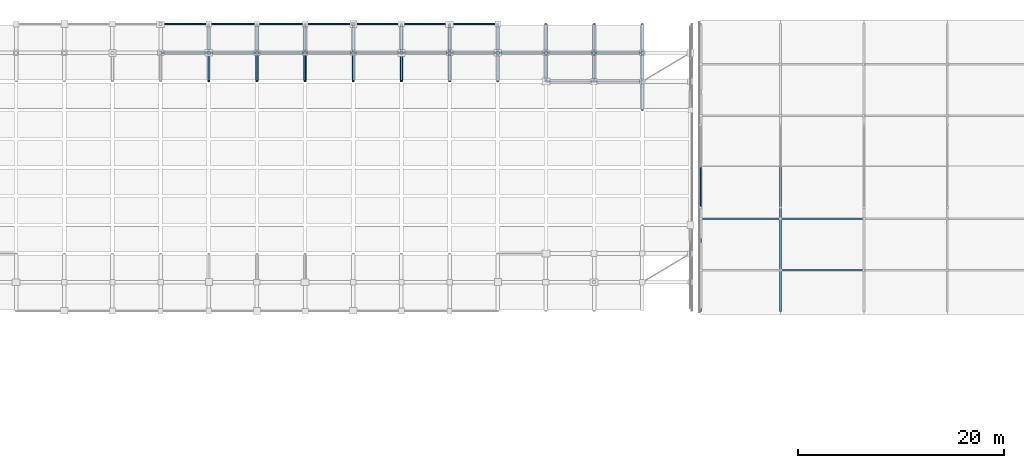
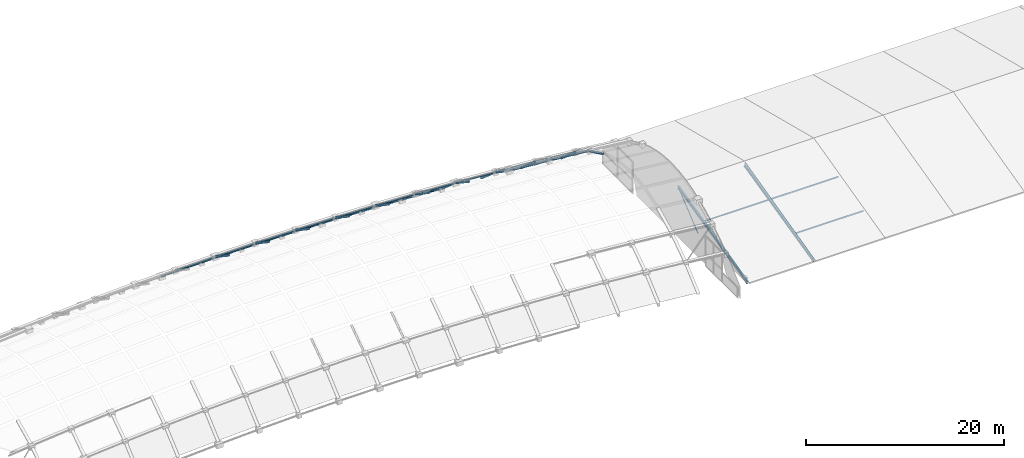
# One storey, part 30 of 65: 25 members, 21 beams.
"""IFC4 building model written with IfcOpenShell, lengths in metres."""

from ifc_helpers import new_model, si_unit, direction, frame, origin, origin_2d, place, context, subcontext, project, spatial, hollow_rectangle, hollow_circle, i_section, extrude, material, material_profile, profile_set, type_object, element, save


model = new_model("IFC4")

# Units and contexts
model_context = context("Model", 3, precision=1e-05, world=origin(), true_north=direction((0.0, 1.0)))
body_context = subcontext(model_context, "Body", "Model", "MODEL_VIEW")
ifc_project = project(units=[si_unit("LENGTHUNIT", "METRE"), si_unit("AREAUNIT", "SQUARE_METRE"), si_unit("VOLUMEUNIT", "CUBIC_METRE"), si_unit("PLANEANGLEUNIT", "RADIAN"), si_unit("MASSUNIT", "GRAM", prefix="KILO")], contexts=[model_context])

# Site, building, storey
site_placement = place(None, origin())
site = spatial("IfcSite", under=ifc_project, at=site_placement, CompositionType="ELEMENT")
building_placement = place(site_placement, origin())
building = spatial("IfcBuilding", under=site, at=building_placement, Name="Quillay Park Conservatory", CompositionType="ELEMENT")
storey_placement = place(building_placement, frame((0.0, 0.0, 14.10009765625)))
storey = spatial("IfcBuildingStorey", under=building, at=storey_placement, Name="L03", CompositionType="ELEMENT", Elevation=14.10009765625)

# Members
ifc_material_1 = material(Name="Steel S355J2H", Category="steel")
ifc_material_profile_1 = material_profile(ifc_material_1, hollow_circle(Radius=0.05712890625, WallThickness=0.00634765625, at=origin_2d()), Name="CHS114.3x6.3")
ifc_profile_set_1 = profile_set([ifc_material_profile_1], Name="Steel S355J2H")
member_type_1 = type_object("IfcMemberType", Name="CANOPY TIE STRUT CHS114", PredefinedType="STRUT", material=ifc_profile_set_1)
member_1_placement = place(storey_placement, frame((115.85009765625, 95.60009765625, -1.5), z_axis=(0.0, 0.766661786486, 0.642051170189), x_axis=(-1.0, 0.0, 0.0)))
element("IfcMember", 1, at=member_1_placement, inside=storey, type_object=member_type_1, Name="Gridshell member AUD-STR-D1", PredefinedType="STRUT", context=body_context, shape_type="SweptSolid", body=[
    extrude(hollow_circle(Radius=0.05712890625, WallThickness=0.00634765625, at=origin_2d()), origin(), (0.0, 0.0, 1.0), 5.217529296875),
])
ifc_material_2 = material(Name="Steel ASTM A992 Grade 50", Category="steel")
ifc_material_profile_2 = material_profile(ifc_material_2, i_section(OverallWidth=0.172119140625, OverallDepth=0.35791015625, WebThickness=0.0078125, FlangeThickness=0.01318359375, FilletRadius=0.010986328125, at=origin_2d()), Name="W360x57")
ifc_profile_set_2 = profile_set([ifc_material_profile_2], Name="Steel ASTM A992 Grade 50")
member_type_2 = type_object("IfcMemberType", Name="FOLDED ROOF RAFTER W360", PredefinedType="RAFTER", material=ifc_profile_set_2)
for number, where, z_axis, x_axis, name in (
    (2, (115.85009765625, 85.550048828125, -1.5), (0.0, 0.972734349518, 0.231922153465), (-1.0, 0.0, 0.0), "Gridshell member AUD-RAF-S1"),
    (3, (123.60009765625, 85.550048828125, -1.5), (0.0, 0.972734349518, 0.231922153465), (-1.0, 0.0, 0.0), "Gridshell member AUD-RAF-S2"),
):
    element("IfcMember", number, at=place(storey_placement, frame(where, z_axis=z_axis, x_axis=x_axis)), inside=storey, type_object=member_type_2, Name=name, PredefinedType="RAFTER", context=body_context, shape_type="SweptSolid", body=[
        extrude(i_section(OverallWidth=0.172119140625, OverallDepth=0.35791015625, WebThickness=0.0078125, FlangeThickness=0.01318359375, FilletRadius=0.010986328125, at=origin_2d()), origin(), (0.0, 0.0, 1.0), 14.44384765625),
    ])

# Beams
ifc_material_3 = material(Name="Steel S355J2H", Category="steel")
ifc_material_profile_3 = material_profile(ifc_material_3, hollow_circle(Radius=0.136474609375, WallThickness=0.012451171875, at=origin_2d()), Name="CHS273x12.5")
ifc_profile_set_3 = profile_set([ifc_material_profile_3], Name="Steel S355J2H")
beam_type = type_object("IfcBeamType", Name="GRIDSHELL ARCH BEAM CHS273", PredefinedType="USERDEFINED", material=ifc_profile_set_3)
beam_1_placement = place(storey_placement, frame((68.072265625, 107.830078125, 5.097900390625), z_axis=(0.0, 0.831668729476, -0.555272117445), x_axis=(-1.0, 0.0, 0.0)))
element("IfcBeam", 4, at=beam_1_placement, inside=storey, type_object=beam_type, Name="Gridshell member GS-ARCH-08-08", ObjectType="GRIDSHELL ARCH BEAM", PredefinedType="USERDEFINED", context=body_context, shape_type="SweptSolid", body=[
    extrude(hollow_circle(Radius=0.136474609375, WallThickness=0.012451171875, at=origin_2d()), origin(), (0.0, 0.0, 1.0), 3.3486328125),
])
beam_2_placement = place(storey_placement, frame((68.072265625, 110.614990234375, 3.238525390625), z_axis=(0.0, 0.757200503095, -0.653182515162), x_axis=(-1.0, 0.0, 0.0)))
element("IfcBeam", 5, at=beam_2_placement, inside=storey, type_object=beam_type, Name="Gridshell member GS-ARCH-08-09", ObjectType="GRIDSHELL ARCH BEAM", PredefinedType="USERDEFINED", context=body_context, shape_type="SweptSolid", body=[
    extrude(hollow_circle(Radius=0.136474609375, WallThickness=0.012451171875, at=origin_2d()), origin(), (0.0, 0.0, 1.0), 3.677978515625),
])
beam_3_placement = place(storey_placement, frame((72.75, 107.830078125, 5.129150390625), z_axis=(0.0, 0.831668729476, -0.555272117445), x_axis=(-1.0, 0.0, 0.0)))
element("IfcBeam", 6, at=beam_3_placement, inside=storey, type_object=beam_type, Name="Gridshell member GS-ARCH-09-08", ObjectType="GRIDSHELL ARCH BEAM", PredefinedType="USERDEFINED", context=body_context, shape_type="SweptSolid", body=[
    extrude(hollow_circle(Radius=0.136474609375, WallThickness=0.012451171875, at=origin_2d()), origin(), (0.0, 0.0, 1.0), 3.3486328125),
])
beam_4_placement = place(storey_placement, frame((72.75, 110.614990234375, 3.269775390625), z_axis=(0.0, 0.757200503095, -0.653182515162), x_axis=(-1.0, 0.0, 0.0)))
element("IfcBeam", 7, at=beam_4_placement, inside=storey, type_object=beam_type, Name="Gridshell member GS-ARCH-09-09", ObjectType="GRIDSHELL ARCH BEAM", PredefinedType="USERDEFINED", context=body_context, shape_type="SweptSolid", body=[
    extrude(hollow_circle(Radius=0.136474609375, WallThickness=0.012451171875, at=origin_2d()), origin(), (0.0, 0.0, 1.0), 3.677978515625),
])
beam_5_placement = place(storey_placement, frame((77.427734375, 107.830078125, 5.097900390625), z_axis=(0.0, 0.831668729476, -0.555272117445), x_axis=(-1.0, 0.0, 0.0)))
element("IfcBeam", 8, at=beam_5_placement, inside=storey, type_object=beam_type, Name="Gridshell member GS-ARCH-10-08", ObjectType="GRIDSHELL ARCH BEAM", PredefinedType="USERDEFINED", context=body_context, shape_type="SweptSolid", body=[
    extrude(hollow_circle(Radius=0.136474609375, WallThickness=0.012451171875, at=origin_2d()), origin(), (0.0, 0.0, 1.0), 3.3486328125),
])
beam_6_placement = place(storey_placement, frame((77.427734375, 110.614990234375, 3.238525390625), z_axis=(0.0, 0.757200503095, -0.653182515162), x_axis=(-1.0, 0.0, 0.0)))
element("IfcBeam", 9, at=beam_6_placement, inside=storey, type_object=beam_type, Name="Gridshell member GS-ARCH-10-09", ObjectType="GRIDSHELL ARCH BEAM", PredefinedType="USERDEFINED", context=body_context, shape_type="SweptSolid", body=[
    extrude(hollow_circle(Radius=0.136474609375, WallThickness=0.012451171875, at=origin_2d()), origin(), (0.0, 0.0, 1.0), 3.677978515625),
])
beam_7_placement = place(storey_placement, frame((82.105712890625, 107.830078125, 5.011962890625), z_axis=(0.0, 0.831668729476, -0.555272117445), x_axis=(-1.0, 0.0, 0.0)))
element("IfcBeam", 10, at=beam_7_placement, inside=storey, type_object=beam_type, Name="Gridshell member GS-ARCH-11-08", ObjectType="GRIDSHELL ARCH BEAM", PredefinedType="USERDEFINED", context=body_context, shape_type="SweptSolid", body=[
    extrude(hollow_circle(Radius=0.136474609375, WallThickness=0.012451171875, at=origin_2d()), origin(), (0.0, 0.0, 1.0), 3.3486328125),
])
beam_8_placement = place(storey_placement, frame((82.105712890625, 110.614990234375, 3.152587890625), z_axis=(0.0, 0.757200503095, -0.653182515162), x_axis=(-1.0, 0.0, 0.0)))
element("IfcBeam", 11, at=beam_8_placement, inside=storey, type_object=beam_type, Name="Gridshell member GS-ARCH-11-09", ObjectType="GRIDSHELL ARCH BEAM", PredefinedType="USERDEFINED", context=body_context, shape_type="SweptSolid", body=[
    extrude(hollow_circle(Radius=0.136474609375, WallThickness=0.012451171875, at=origin_2d()), origin(), (0.0, 0.0, 1.0), 3.677978515625),
])
beam_9_placement = place(storey_placement, frame((86.783203125, 107.830078125, 4.863525390625), z_axis=(0.0, 0.831668729476, -0.555272117445), x_axis=(-1.0, 0.0, 0.0)))
element("IfcBeam", 12, at=beam_9_placement, inside=storey, type_object=beam_type, Name="Gridshell member GS-ARCH-12-08", ObjectType="GRIDSHELL ARCH BEAM", PredefinedType="USERDEFINED", context=body_context, shape_type="SweptSolid", body=[
    extrude(hollow_circle(Radius=0.136474609375, WallThickness=0.012451171875, at=origin_2d()), origin(), (0.0, 0.0, 1.0), 3.3486328125),
])
beam_10_placement = place(storey_placement, frame((86.783203125, 110.614990234375, 3.004150390625), z_axis=(0.0, 0.757200503095, -0.653182515162), x_axis=(-1.0, 0.0, 0.0)))
element("IfcBeam", 13, at=beam_10_placement, inside=storey, type_object=beam_type, Name="Gridshell member GS-ARCH-12-09", ObjectType="GRIDSHELL ARCH BEAM", PredefinedType="USERDEFINED", context=body_context, shape_type="SweptSolid", body=[
    extrude(hollow_circle(Radius=0.136474609375, WallThickness=0.012451171875, at=origin_2d()), origin(), (0.0, 0.0, 1.0), 3.677978515625),
])
beam_11_placement = place(storey_placement, frame((91.461181640625, 107.830078125, 4.660400390625), z_axis=(0.0, 0.831668729476, -0.555272117445), x_axis=(-1.0, 0.0, 0.0)))
element("IfcBeam", 14, at=beam_11_placement, inside=storey, type_object=beam_type, Name="Gridshell member GS-ARCH-13-08", ObjectType="GRIDSHELL ARCH BEAM", PredefinedType="USERDEFINED", context=body_context, shape_type="SweptSolid", body=[
    extrude(hollow_circle(Radius=0.136474609375, WallThickness=0.012451171875, at=origin_2d()), origin(), (0.0, 0.0, 1.0), 3.3486328125),
])
beam_12_placement = place(storey_placement, frame((91.461181640625, 110.614990234375, 2.801025390625), z_axis=(0.0, 0.757200503095, -0.653182515162), x_axis=(-1.0, 0.0, 0.0)))
element("IfcBeam", 15, at=beam_12_placement, inside=storey, type_object=beam_type, Name="Gridshell member GS-ARCH-13-09", ObjectType="GRIDSHELL ARCH BEAM", PredefinedType="USERDEFINED", context=body_context, shape_type="SweptSolid", body=[
    extrude(hollow_circle(Radius=0.136474609375, WallThickness=0.012451171875, at=origin_2d()), origin(), (0.0, 0.0, 1.0), 3.677978515625),
])
beam_13_placement = place(storey_placement, frame((96.138916015625, 107.830078125, 4.398681640625), z_axis=(0.0, 0.831668729476, -0.555272117445), x_axis=(-1.0, 0.0, 0.0)))
element("IfcBeam", 16, at=beam_13_placement, inside=storey, type_object=beam_type, Name="Gridshell member GS-ARCH-14-08", ObjectType="GRIDSHELL ARCH BEAM", PredefinedType="USERDEFINED", context=body_context, shape_type="SweptSolid", body=[
    extrude(hollow_circle(Radius=0.136474609375, WallThickness=0.012451171875, at=origin_2d()), origin(), (0.0, 0.0, 1.0), 3.3486328125),
])
beam_14_placement = place(storey_placement, frame((96.138916015625, 110.614990234375, 2.539306640625), z_axis=(0.0, 0.757200503095, -0.653182515162), x_axis=(-1.0, 0.0, 0.0)))
element("IfcBeam", 17, at=beam_14_placement, inside=storey, type_object=beam_type, Name="Gridshell member GS-ARCH-14-09", ObjectType="GRIDSHELL ARCH BEAM", PredefinedType="USERDEFINED", context=body_context, shape_type="SweptSolid", body=[
    extrude(hollow_circle(Radius=0.136474609375, WallThickness=0.012451171875, at=origin_2d()), origin(), (0.0, 0.0, 1.0), 3.677978515625),
])
beam_15_placement = place(storey_placement, frame((100.816650390625, 107.830078125, 4.078369140625), z_axis=(0.0, 0.831668729476, -0.555272117445), x_axis=(-1.0, 0.0, 0.0)))
element("IfcBeam", 18, at=beam_15_placement, inside=storey, type_object=beam_type, Name="Gridshell member GS-ARCH-15-08", ObjectType="GRIDSHELL ARCH BEAM", PredefinedType="USERDEFINED", context=body_context, shape_type="SweptSolid", body=[
    extrude(hollow_circle(Radius=0.136474609375, WallThickness=0.012451171875, at=origin_2d()), origin(), (0.0, 0.0, 1.0), 3.3486328125),
])
beam_16_placement = place(storey_placement, frame((100.816650390625, 110.614990234375, 2.218994140625), z_axis=(0.0, 0.757200503095, -0.653182515162), x_axis=(-1.0, 0.0, 0.0)))
element("IfcBeam", 19, at=beam_16_placement, inside=storey, type_object=beam_type, Name="Gridshell member GS-ARCH-15-09", ObjectType="GRIDSHELL ARCH BEAM", PredefinedType="USERDEFINED", context=body_context, shape_type="SweptSolid", body=[
    extrude(hollow_circle(Radius=0.136474609375, WallThickness=0.012451171875, at=origin_2d()), origin(), (0.0, 0.0, 1.0), 3.677978515625),
])
beam_17_placement = place(storey_placement, frame((105.494384765625, 107.830078125, 3.699462890625), z_axis=(0.0, 0.831668729476, -0.555272117445), x_axis=(-1.0, 0.0, 0.0)))
element("IfcBeam", 20, at=beam_17_placement, inside=storey, type_object=beam_type, Name="Gridshell member GS-ARCH-16-08", ObjectType="GRIDSHELL ARCH BEAM", PredefinedType="USERDEFINED", context=body_context, shape_type="SweptSolid", body=[
    extrude(hollow_circle(Radius=0.136474609375, WallThickness=0.012451171875, at=origin_2d()), origin(), (0.0, 0.0, 1.0), 3.3486328125),
])
beam_18_placement = place(storey_placement, frame((105.494384765625, 110.614990234375, 1.840087890625), z_axis=(0.0, 0.757200503095, -0.653182515162), x_axis=(-1.0, 0.0, 0.0)))
element("IfcBeam", 21, at=beam_18_placement, inside=storey, type_object=beam_type, Name="Gridshell member GS-ARCH-16-09", ObjectType="GRIDSHELL ARCH BEAM", PredefinedType="USERDEFINED", context=body_context, shape_type="SweptSolid", body=[
    extrude(hollow_circle(Radius=0.136474609375, WallThickness=0.012451171875, at=origin_2d()), origin(), (0.0, 0.0, 1.0), 3.677978515625),
])
beam_19_placement = place(storey_placement, frame((110.172119140625, 105.044921875, 4.586181640625), z_axis=(0.0, 0.903117900184, -0.429392662219), x_axis=(-1.0, 0.0, 0.0)))
element("IfcBeam", 22, at=beam_19_placement, inside=storey, type_object=beam_type, Name="Gridshell member GS-ARCH-17-07", ObjectType="GRIDSHELL ARCH BEAM", PredefinedType="USERDEFINED", context=body_context, shape_type="SweptSolid", body=[
    extrude(hollow_circle(Radius=0.136474609375, WallThickness=0.012451171875, at=origin_2d()), origin(), (0.0, 0.0, 1.0), 3.083984375),
])
beam_20_placement = place(storey_placement, frame((110.172119140625, 107.830078125, 3.261962890625), z_axis=(0.0, 0.831668729476, -0.555272117445), x_axis=(-1.0, 0.0, 0.0)))
element("IfcBeam", 23, at=beam_20_placement, inside=storey, type_object=beam_type, Name="Gridshell member GS-ARCH-17-08", ObjectType="GRIDSHELL ARCH BEAM", PredefinedType="USERDEFINED", context=body_context, shape_type="SweptSolid", body=[
    extrude(hollow_circle(Radius=0.136474609375, WallThickness=0.012451171875, at=origin_2d()), origin(), (0.0, 0.0, 1.0), 3.3486328125),
])
beam_21_placement = place(storey_placement, frame((110.172119140625, 110.614990234375, 1.402587890625), z_axis=(0.0, 0.757200503095, -0.653182515162), x_axis=(-1.0, 0.0, 0.0)))
element("IfcBeam", 24, at=beam_21_placement, inside=storey, type_object=beam_type, Name="Gridshell member GS-ARCH-17-09", ObjectType="GRIDSHELL ARCH BEAM", PredefinedType="USERDEFINED", context=body_context, shape_type="SweptSolid", body=[
    extrude(hollow_circle(Radius=0.136474609375, WallThickness=0.012451171875, at=origin_2d()), origin(), (0.0, 0.0, 1.0), 3.677978515625),
])

# Members
ifc_material_4 = material(Name="Steel S355J2H", Category="steel")
ifc_material_profile_4 = material_profile(ifc_material_4, hollow_circle(Radius=0.109619140625, WallThickness=0.010009765625, at=origin_2d()), Name="CHS219.1x10")
ifc_profile_set_4 = profile_set([ifc_material_profile_4], Name="Steel S355J2H")
member_type_3 = type_object("IfcMemberType", Name="GRIDSHELL ARCH RIB CHS219", PredefinedType="USERDEFINED", material=ifc_profile_set_4)
member_2_placement = place(storey_placement, frame((100.816650390625, 107.830078125, 4.078369140625), z_axis=(0.996735387311, 0.0, -0.080737647239), x_axis=(0.0, 1.0, 0.0)))
element("IfcMember", 25, at=member_2_placement, inside=storey, type_object=member_type_3, Name="Gridshell member GS-RIB-15-08", ObjectType="GRIDSHELL ARCH RIB", PredefinedType="USERDEFINED", context=body_context, shape_type="SweptSolid", body=[
    extrude(hollow_circle(Radius=0.109619140625, WallThickness=0.010009765625, at=origin_2d()), origin(), (0.0, 0.0, 1.0), 4.693115234375),
])
member_3_placement = place(storey_placement, frame((105.494384765625, 107.830078125, 3.699462890625), z_axis=(0.995654726514, 0.0, -0.093121778179), x_axis=(0.0, 1.0, 0.0)))
element("IfcMember", 26, at=member_3_placement, inside=storey, type_object=member_type_3, Name="Gridshell member GS-RIB-16-08", ObjectType="GRIDSHELL ARCH RIB", PredefinedType="USERDEFINED", context=body_context, shape_type="SweptSolid", body=[
    extrude(hollow_circle(Radius=0.109619140625, WallThickness=0.010009765625, at=origin_2d()), origin(), (0.0, 0.0, 1.0), 4.6982421875),
])
member_4_placement = place(storey_placement, frame((63.394287109375, 110.614990234375, 3.152587890625), z_axis=(0.999831302331, 0.0, 0.018367549628), x_axis=(0.0, 1.0, 0.0)))
element("IfcMember", 27, at=member_4_placement, inside=storey, type_object=member_type_3, Name="Gridshell member GS-RIB-07-09", ObjectType="GRIDSHELL ARCH RIB", PredefinedType="USERDEFINED", context=body_context, shape_type="SweptSolid", body=[
    extrude(hollow_circle(Radius=0.109619140625, WallThickness=0.010009765625, at=origin_2d()), origin(), (0.0, 0.0, 1.0), 4.6787109375),
])
for number, where, z_axis, x_axis, name in (
    (28, (68.072265625, 110.614990234375, 3.238525390625), (0.999977685642, 0.0, 0.006680435478), (0.0, 1.0, 0.0), "Gridshell member GS-RIB-08-09"),
    (29, (72.75, 110.614990234375, 3.269775390625), (0.999977685642, 0.0, -0.006680435478), (0.0, 1.0, 0.0), "Gridshell member GS-RIB-09-09"),
):
    element("IfcMember", number, at=place(storey_placement, frame(where, z_axis=z_axis, x_axis=x_axis)), inside=storey, type_object=member_type_3, Name=name, ObjectType="GRIDSHELL ARCH RIB", PredefinedType="USERDEFINED", context=body_context, shape_type="SweptSolid", body=[
        extrude(hollow_circle(Radius=0.109619140625, WallThickness=0.010009765625, at=origin_2d()), origin(), (0.0, 0.0, 1.0), 4.677734375),
    ])
member_5_placement = place(storey_placement, frame((77.427734375, 110.614990234375, 3.238525390625), z_axis=(0.999831302331, 0.0, -0.018367549628), x_axis=(0.0, 1.0, 0.0)))
element("IfcMember", 30, at=member_5_placement, inside=storey, type_object=member_type_3, Name="Gridshell member GS-RIB-10-09", ObjectType="GRIDSHELL ARCH RIB", PredefinedType="USERDEFINED", context=body_context, shape_type="SweptSolid", body=[
    extrude(hollow_circle(Radius=0.109619140625, WallThickness=0.010009765625, at=origin_2d()), origin(), (0.0, 0.0, 1.0), 4.6787109375),
])
member_6_placement = place(storey_placement, frame((82.105712890625, 110.614990234375, 3.152587890625), z_axis=(0.99949684289, 0.0, -0.031718465498), x_axis=(0.0, 1.0, 0.0)))
element("IfcMember", 31, at=member_6_placement, inside=storey, type_object=member_type_3, Name="Gridshell member GS-RIB-11-09", ObjectType="GRIDSHELL ARCH RIB", PredefinedType="USERDEFINED", context=body_context, shape_type="SweptSolid", body=[
    extrude(hollow_circle(Radius=0.109619140625, WallThickness=0.010009765625, at=origin_2d()), origin(), (0.0, 0.0, 1.0), 4.679931640625),
])
member_7_placement = place(storey_placement, frame((86.783203125, 110.614990234375, 3.004150390625), z_axis=(0.999058616198, 0.0, -0.043380656995), x_axis=(0.0, 1.0, 0.0)))
element("IfcMember", 32, at=member_7_placement, inside=storey, type_object=member_type_3, Name="Gridshell member GS-RIB-12-09", ObjectType="GRIDSHELL ARCH RIB", PredefinedType="USERDEFINED", context=body_context, shape_type="SweptSolid", body=[
    extrude(hollow_circle(Radius=0.109619140625, WallThickness=0.010009765625, at=origin_2d()), origin(), (0.0, 0.0, 1.0), 4.682373046875),
])
member_8_placement = place(storey_placement, frame((91.461181640625, 110.614990234375, 2.801025390625), z_axis=(0.998438469785, 0.0, -0.055862528163), x_axis=(0.0, 1.0, 0.0)))
element("IfcMember", 33, at=member_8_placement, inside=storey, type_object=member_type_3, Name="Gridshell member GS-RIB-13-09", ObjectType="GRIDSHELL ARCH RIB", PredefinedType="USERDEFINED", context=body_context, shape_type="SweptSolid", body=[
    extrude(hollow_circle(Radius=0.109619140625, WallThickness=0.010009765625, at=origin_2d()), origin(), (0.0, 0.0, 1.0), 4.68505859375),
])
member_9_placement = place(storey_placement, frame((96.138916015625, 110.614990234375, 2.539306640625), z_axis=(0.997663732084, 0.0, -0.068316013387), x_axis=(0.0, 1.0, 0.0)))
element("IfcMember", 34, at=member_9_placement, inside=storey, type_object=member_type_3, Name="Gridshell member GS-RIB-14-09", ObjectType="GRIDSHELL ARCH RIB", PredefinedType="USERDEFINED", context=body_context, shape_type="SweptSolid", body=[
    extrude(hollow_circle(Radius=0.109619140625, WallThickness=0.010009765625, at=origin_2d()), origin(), (0.0, 0.0, 1.0), 4.688720703125),
])
member_10_placement = place(storey_placement, frame((100.816650390625, 110.614990234375, 2.218994140625), z_axis=(0.996735387311, 0.0, -0.080737647239), x_axis=(0.0, 1.0, 0.0)))
element("IfcMember", 35, at=member_10_placement, inside=storey, type_object=member_type_3, Name="Gridshell member GS-RIB-15-09", ObjectType="GRIDSHELL ARCH RIB", PredefinedType="USERDEFINED", context=body_context, shape_type="SweptSolid", body=[
    extrude(hollow_circle(Radius=0.109619140625, WallThickness=0.010009765625, at=origin_2d()), origin(), (0.0, 0.0, 1.0), 4.693115234375),
])
member_11_placement = place(storey_placement, frame((105.494384765625, 110.614990234375, 1.840087890625), z_axis=(0.995654726514, 0.0, -0.093121778179), x_axis=(0.0, 1.0, 0.0)))
element("IfcMember", 36, at=member_11_placement, inside=storey, type_object=member_type_3, Name="Gridshell member GS-RIB-16-09", ObjectType="GRIDSHELL ARCH RIB", PredefinedType="USERDEFINED", context=body_context, shape_type="SweptSolid", body=[
    extrude(hollow_circle(Radius=0.109619140625, WallThickness=0.010009765625, at=origin_2d()), origin(), (0.0, 0.0, 1.0), 4.6982421875),
])
member_12_placement = place(storey_placement, frame((63.394287109375, 113.39990234375, 0.750244140625), z_axis=(0.999831302331, 0.0, 0.018367549628), x_axis=(0.0, 1.0, 0.0)))
element("IfcMember", 37, at=member_12_placement, inside=storey, type_object=member_type_3, Name="Gridshell member GS-RIB-07-10", ObjectType="GRIDSHELL ARCH RIB", PredefinedType="USERDEFINED", context=body_context, shape_type="SweptSolid", body=[
    extrude(hollow_circle(Radius=0.109619140625, WallThickness=0.010009765625, at=origin_2d()), origin(), (0.0, 0.0, 1.0), 4.6787109375),
])
for number, where, z_axis, x_axis, name in (
    (38, (68.072265625, 113.39990234375, 0.836181640625), (0.999977685642, 0.0, 0.006680435478), (0.0, 1.0, 0.0), "Gridshell member GS-RIB-08-10"),
    (39, (72.75, 113.39990234375, 0.867431640625), (0.999977685642, 0.0, -0.006680435478), (0.0, 1.0, 0.0), "Gridshell member GS-RIB-09-10"),
):
    element("IfcMember", number, at=place(storey_placement, frame(where, z_axis=z_axis, x_axis=x_axis)), inside=storey, type_object=member_type_3, Name=name, ObjectType="GRIDSHELL ARCH RIB", PredefinedType="USERDEFINED", context=body_context, shape_type="SweptSolid", body=[
        extrude(hollow_circle(Radius=0.109619140625, WallThickness=0.010009765625, at=origin_2d()), origin(), (0.0, 0.0, 1.0), 4.677734375),
    ])
member_13_placement = place(storey_placement, frame((77.427734375, 113.39990234375, 0.836181640625), z_axis=(0.999831302331, 0.0, -0.018367549628), x_axis=(0.0, 1.0, 0.0)))
element("IfcMember", 40, at=member_13_placement, inside=storey, type_object=member_type_3, Name="Gridshell member GS-RIB-10-10", ObjectType="GRIDSHELL ARCH RIB", PredefinedType="USERDEFINED", context=body_context, shape_type="SweptSolid", body=[
    extrude(hollow_circle(Radius=0.109619140625, WallThickness=0.010009765625, at=origin_2d()), origin(), (0.0, 0.0, 1.0), 4.6787109375),
])
member_14_placement = place(storey_placement, frame((82.105712890625, 113.39990234375, 0.750244140625), z_axis=(0.99949684289, 0.0, -0.031718465498), x_axis=(0.0, 1.0, 0.0)))
element("IfcMember", 41, at=member_14_placement, inside=storey, type_object=member_type_3, Name="Gridshell member GS-RIB-11-10", ObjectType="GRIDSHELL ARCH RIB", PredefinedType="USERDEFINED", context=body_context, shape_type="SweptSolid", body=[
    extrude(hollow_circle(Radius=0.109619140625, WallThickness=0.010009765625, at=origin_2d()), origin(), (0.0, 0.0, 1.0), 4.679931640625),
])
member_15_placement = place(storey_placement, frame((86.783203125, 113.39990234375, 0.601806640625), z_axis=(0.999058616198, 0.0, -0.043380656995), x_axis=(0.0, 1.0, 0.0)))
element("IfcMember", 42, at=member_15_placement, inside=storey, type_object=member_type_3, Name="Gridshell member GS-RIB-12-10", ObjectType="GRIDSHELL ARCH RIB", PredefinedType="USERDEFINED", context=body_context, shape_type="SweptSolid", body=[
    extrude(hollow_circle(Radius=0.109619140625, WallThickness=0.010009765625, at=origin_2d()), origin(), (0.0, 0.0, 1.0), 4.682373046875),
])
member_16_placement = place(storey_placement, frame((91.461181640625, 113.39990234375, 0.398681640625), z_axis=(0.998438469785, 0.0, -0.055862528163), x_axis=(0.0, 1.0, 0.0)))
element("IfcMember", 43, at=member_16_placement, inside=storey, type_object=member_type_3, Name="Gridshell member GS-RIB-13-10", ObjectType="GRIDSHELL ARCH RIB", PredefinedType="USERDEFINED", context=body_context, shape_type="SweptSolid", body=[
    extrude(hollow_circle(Radius=0.109619140625, WallThickness=0.010009765625, at=origin_2d()), origin(), (0.0, 0.0, 1.0), 4.68505859375),
])
ifc_material_5 = material(Name="Steel S355J2H", Category="steel")
ifc_material_profile_5 = material_profile(ifc_material_5, hollow_rectangle(XDim=0.10009765625, YDim=0.14990234375, WallThickness=0.00634765625, InnerFilletRadius=0.00634765625, OuterFilletRadius=0.011962890625, at=origin_2d()), Name="RHS150x100x6.3")
ifc_profile_set_5 = profile_set([ifc_material_profile_5], Name="Steel S355J2H")
member_type_4 = type_object("IfcMemberType", Name="ROOF GLAZING PURLIN RHS150", PredefinedType="PURLIN", material=ifc_profile_set_5)
member_17_placement = place(storey_placement, frame((115.89990234375, 94.5, 0.6337890625), z_axis=(1.0, 0.0, 0.0), x_axis=(0.0, 1.0, 0.0)))
element("IfcMember", 44, at=member_17_placement, inside=storey, type_object=member_type_4, Name="Gridshell member AUD-PUR-1-94", PredefinedType="PURLIN", context=body_context, shape_type="SweptSolid", body=[
    extrude(hollow_rectangle(XDim=0.10009765625, YDim=0.14990234375, WallThickness=0.00634765625, InnerFilletRadius=0.00634765625, OuterFilletRadius=0.011962890625, at=origin_2d()), origin(), (0.0, 0.0, 1.0), 7.650146484375),
])
ifc_material_6 = material(Name="Steel S355J2H", Category="steel")
ifc_material_profile_6 = material_profile(ifc_material_6, hollow_rectangle(XDim=0.070068359375, YDim=0.179931640625, WallThickness=0.00390625, InnerFilletRadius=0.00390625, OuterFilletRadius=0.008056640625, at=origin_2d()), Name="RHS180x70x4")
ifc_profile_set_6 = profile_set([ifc_material_profile_6], Name="Steel S355J2H")
member_type_5 = type_object("IfcMemberType", Name="ROOF GLAZING PURLIN RHS180 X70", PredefinedType="PURLIN", material=ifc_profile_set_6)
for number, where, z_axis, x_axis, name in (
    (45, (123.64990234375, 89.5, -0.558349609375), (1.0, 0.0, 0.0), (0.0, 1.0, 0.0), "Gridshell member AUD-PUR-2-89"),
    (46, (123.64990234375, 94.5, 0.6337890625), (1.0, 0.0, 0.0), (0.0, 1.0, 0.0), "Gridshell member AUD-PUR-2-94"),
):
    element("IfcMember", number, at=place(storey_placement, frame(where, z_axis=z_axis, x_axis=x_axis)), inside=storey, type_object=member_type_5, Name=name, PredefinedType="PURLIN", context=body_context, shape_type="SweptSolid", body=[
        extrude(hollow_rectangle(XDim=0.070068359375, YDim=0.179931640625, WallThickness=0.00390625, InnerFilletRadius=0.00390625, OuterFilletRadius=0.008056640625, at=origin_2d()), origin(), (0.0, 0.0, 1.0), 8.0),
    ])

save(model, "model.ifc")
